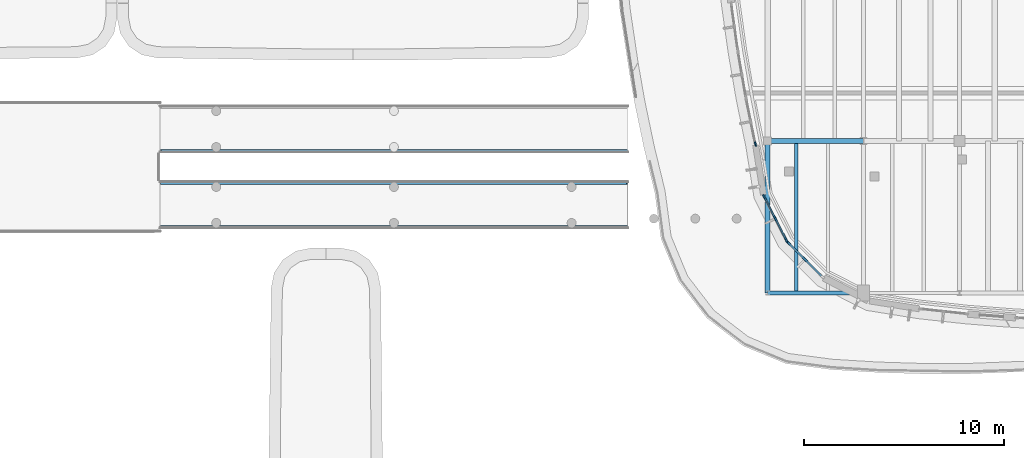
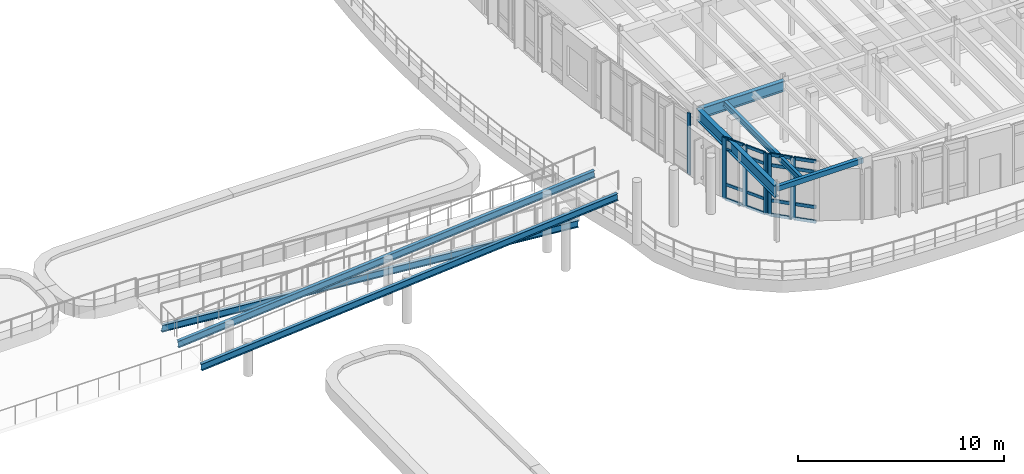
# One storey, part 33 of 111: 22 members, 7 beams, 3 elements without a shape of their own.
"""IFC4 building model written with IfcOpenShell, lengths in metres."""

from ifc_helpers import new_model, si_unit, direction, frame, origin, origin_2d, place, context, subcontext, project, spatial, rectangle, hollow_rectangle, i_section, extrude, material, material_profile, profile_set, type_object, element, aggregate, save


model = new_model("IFC4")

# Units and contexts
model_context = context("Model", 3, precision=1e-05, world=origin(), true_north=direction((0.0, 1.0)))
body_context = subcontext(model_context, "Body", "Model", "MODEL_VIEW")
ifc_project = project(units=[si_unit("LENGTHUNIT", "METRE"), si_unit("AREAUNIT", "SQUARE_METRE"), si_unit("VOLUMEUNIT", "CUBIC_METRE"), si_unit("PLANEANGLEUNIT", "RADIAN"), si_unit("MASSUNIT", "GRAM", prefix="KILO")], contexts=[model_context])

# Site, building, storey
site_placement = place(None, origin())
site = spatial("IfcSite", under=ifc_project, at=site_placement, CompositionType="ELEMENT")
building_placement = place(site_placement, origin())
building = spatial("IfcBuilding", under=site, at=building_placement, Name="Corveleigh Park Community Centre", CompositionType="ELEMENT")
storey_placement = place(building_placement, frame((0.0, 0.0, 4.800048828125)))
storey = spatial("IfcBuildingStorey", under=building, at=storey_placement, Name="L01", CompositionType="ELEMENT", Elevation=4.800048828125)

# Beams
ifc_material_1 = material(Name="Steel S355", Category="steel")
ifc_material_profile_1 = material_profile(ifc_material_1, i_section(OverallWidth=0.171142578125, OverallDepth=0.351318359375, WebThickness=0.007080078125, FlangeThickness=0.009765625, at=origin_2d()), Name="UKB 356x171x45", Category="steel")
ifc_profile_set_1 = profile_set([ifc_material_profile_1], Name="Steel S355")
beam_type_1 = type_object("IfcBeamType", Name="BM-STL-UKB356x45", PredefinedType="JOIST", material=ifc_profile_set_1)
beam_1_placement = place(storey_placement, frame((136.0400390625, 58.60498046875, 3.436279296875), z_axis=(0.0, 1.0, 0.0), x_axis=(-1.0, 0.0, 0.0)))
element("IfcBeam", 1, at=beam_1_placement, inside=storey, type_object=beam_type_1, Name="Secondary floor joist", PredefinedType="JOIST", context=body_context, shape_type="SweptSolid", body=[
    extrude(i_section(OverallWidth=0.171142578125, OverallDepth=0.351318359375, WebThickness=0.007080078125, FlangeThickness=0.009765625, at=origin_2d()), origin(), (0.0, 0.0, 1.0), 7.590087890625),
])
ifc_material_profile_2 = material_profile(ifc_material_1, i_section(OverallWidth=0.1787109375, OverallDepth=0.409423828125, WebThickness=0.0087890625, FlangeThickness=0.014404296875, at=origin_2d()), Name="UKB 406x178x67", Category="steel")
ifc_profile_set_2 = profile_set([ifc_material_profile_2], Name="Steel S355")
beam_type_2 = type_object("IfcBeamType", Name="BM-STL-UKB406x67", PredefinedType="BEAM", material=ifc_profile_set_2)
for number, where, z_axis, x_axis, name in (
    (2, (127.56005859375, 65.679931640625, -0.413330078125), (-0.996545686293, 0.0, 0.083046343271), (0.0, -1.0, 0.0), "Courtyard West Roof Promenade Ramp Lower Stringer L"),
    (3, (104.239990234375, 64.1201171875, 1.53662109375), (0.996545686293, 0.0, 0.083046343271), (0.0, 1.0, 0.0), "Courtyard East Roof Promenade Ramp Upper Stringer L"),
    (4, (104.239990234375, 61.8798828125, 1.53662109375), (0.996545686293, 0.0, 0.083046343271), (0.0, 1.0, 0.0), "Courtyard East Roof Promenade Ramp Upper Stringer R"),
):
    element("IfcBeam", number, at=place(storey_placement, frame(where, z_axis=z_axis, x_axis=x_axis)), inside=storey, type_object=beam_type_2, Name=name, PredefinedType="BEAM", context=body_context, shape_type="SweptSolid", body=[
        extrude(i_section(OverallWidth=0.1787109375, OverallDepth=0.409423828125, WebThickness=0.0087890625, FlangeThickness=0.014404296875, at=origin_2d()), origin(), (0.0, 0.0, 1.0), 23.40087890625),
    ])
ifc_material_profile_3 = material_profile(ifc_material_1, i_section(OverallWidth=0.22900390625, OverallDepth=0.6123046875, WebThickness=0.011962890625, FlangeThickness=0.01953125, at=origin_2d()), Name="UKB 610x229x125", Category="steel")
ifc_profile_set_3 = profile_set([ifc_material_profile_3], Name="Steel S355")
beam_type_3 = type_object("IfcBeamType", Name="BM-STL-UKB610x125", PredefinedType="BEAM", material=ifc_profile_set_3)
beam_2_placement = place(storey_placement, frame((134.60498046875, 66.199951171875, 3.305908203125), z_axis=(1.0, 0.0, 0.0), x_axis=(0.0, 1.0, 0.0)))
element("IfcBeam", 5, at=beam_2_placement, inside=storey, type_object=beam_type_3, Name="V4 Girder X", PredefinedType="BEAM", context=body_context, shape_type="SweptSolid", body=[
    extrude(i_section(OverallWidth=0.22900390625, OverallDepth=0.6123046875, WebThickness=0.011962890625, FlangeThickness=0.01953125, at=origin_2d()), origin(), (0.0, 0.0, 1.0), 4.7900390625),
])
ifc_material_profile_4 = material_profile(ifc_material_1, i_section(OverallWidth=0.25439453125, OverallDepth=0.6875, WebThickness=0.01318359375, FlangeThickness=0.02099609375, at=origin_2d()), Name="UKB 686x254x152", Category="steel")
ifc_profile_set_4 = profile_set([ifc_material_profile_4], Name="Steel S355")
beam_type_4 = type_object("IfcBeamType", Name="BM-STL-UKB686x152", PredefinedType="BEAM", material=ifc_profile_set_4)
beam_3_placement = place(storey_placement, frame((134.60009765625, 58.60498046875, 3.293212890625), z_axis=(0.0, 1.0, 0.0), x_axis=(-1.0, 0.0, 0.0)))
element("IfcBeam", 6, at=beam_3_placement, inside=storey, type_object=beam_type_4, Name="V4 Girder Y", PredefinedType="BEAM", context=body_context, shape_type="SweptSolid", body=[
    extrude(i_section(OverallWidth=0.25439453125, OverallDepth=0.6875, WebThickness=0.01318359375, FlangeThickness=0.02099609375, at=origin_2d()), origin(), (0.0, 0.0, 1.0), 7.590087890625),
])

# Curtain wall, member
ifc_material_2 = material(Name="Anodised aluminium 6063-T6", Category="aluminium")
curtain_wall_type = type_object("IfcCurtainWallType", Name="CW-SYS-V4-L01", PredefinedType="NOTDEFINED", material=ifc_material_2)
curtain_wall_1_placement = place(storey_placement, origin())
curtain_wall_1 = element("IfcCurtainWall", 7, at=curtain_wall_1_placement, inside=storey, type_object=curtain_wall_type, Name="V4 L01 Curtain Wall 298", PredefinedType="NOTDEFINED")
ifc_material_profile_5 = material_profile(ifc_material_2, rectangle(XDim=0.074951171875, YDim=0.219970703125, at=origin_2d()), Name="ALU-M75x220", Category="aluminium")
ifc_profile_set_5 = profile_set([ifc_material_profile_5], Name="Anodised aluminium 6063-T6")
member_type_1 = type_object("IfcMemberType", Name="CWM-75x220", PredefinedType="MULLION", material=ifc_profile_set_5)
member_1_placement = place(storey_placement, frame((133.990478515625, 66.046630859375, 0.0), z_axis=(0.0, 0.0, 1.0), x_axis=(-0.979799029422, -0.19998465427, 0.0)))
member_1 = element("IfcMember", 8, at=member_1_placement, type_object=member_type_1, Name="CW08 mullion 1", PredefinedType="MULLION", context=body_context, shape_type="SweptSolid", body=[
    extrude(rectangle(XDim=0.074951171875, YDim=0.219970703125, at=origin_2d()), origin(), (0.0, 0.0, 1.0), 3.636962890625),
])
aggregate(curtain_wall_1, [member_1])

# Curtain wall, members
curtain_wall_2_placement = place(storey_placement, origin())
curtain_wall_2 = element("IfcCurtainWall", 9, at=curtain_wall_2_placement, inside=storey, type_object=curtain_wall_type, Name="V4 L01 Curtain Wall 299", PredefinedType="NOTDEFINED")
ifc_material_profile_6 = material_profile(ifc_material_2, rectangle(XDim=0.080078125, YDim=0.25, at=origin_2d()), Name="ALU-M80x250", Category="aluminium")
ifc_profile_set_6 = profile_set([ifc_material_profile_6], Name="Anodised aluminium 6063-T6")
member_type_2 = type_object("IfcMemberType", Name="CWM-80x250", PredefinedType="MULLION", material=ifc_profile_set_6)
member_2_placement = place(storey_placement, frame((135.53076171875, 61.249755859375, 0.0), z_axis=(0.0, 0.0, 1.0), x_axis=(-0.89086471553, -0.454268707511, 0.0)))
member_2 = element("IfcMember", 10, at=member_2_placement, type_object=member_type_2, Name="CW08 mullion 1", PredefinedType="MULLION", context=body_context, shape_type="SweptSolid", body=[
    extrude(rectangle(XDim=0.080078125, YDim=0.25, at=origin_2d()), origin(), (0.0, 0.0, 1.0), 3.636962890625),
])
member_3_placement = place(storey_placement, frame((134.9833984375, 62.322998046875, 0.0), z_axis=(0.0, 0.0, 1.0), x_axis=(-0.89086471553, -0.454268707511, 0.0)))
member_3 = element("IfcMember", 11, at=member_3_placement, type_object=member_type_2, Name="CW08 mullion 2", PredefinedType="MULLION", context=body_context, shape_type="SweptSolid", body=[
    extrude(rectangle(XDim=0.080078125, YDim=0.25, at=origin_2d()), origin(), (0.0, 0.0, 1.0), 3.636962890625),
])
member_4_placement = place(storey_placement, frame((134.436279296875, 63.396484375, 0.0), z_axis=(0.0, 0.0, 1.0), x_axis=(-0.89086471553, -0.454268707511, 0.0)))
member_4 = element("IfcMember", 12, at=member_4_placement, type_object=member_type_2, Name="CW08 mullion 3", PredefinedType="MULLION", context=body_context, shape_type="SweptSolid", body=[
    extrude(rectangle(XDim=0.080078125, YDim=0.25, at=origin_2d()), origin(), (0.0, 0.0, 1.0), 3.636962890625),
])

curtain_wall_3_placement = place(storey_placement, origin())
curtain_wall_3 = element("IfcCurtainWall", 13, at=curtain_wall_3_placement, inside=storey, type_object=curtain_wall_type, Name="V4 L01 Curtain Wall 300", PredefinedType="NOTDEFINED")
ifc_material_profile_7 = material_profile(ifc_material_2, rectangle(XDim=0.0849609375, YDim=0.27490234375, at=origin_2d()), Name="ALU-M85x275", Category="aluminium")
ifc_profile_set_7 = profile_set([ifc_material_profile_7], Name="Anodised aluminium 6063-T6")
member_type_3 = type_object("IfcMemberType", Name="CWM-85x275", PredefinedType="MULLION", material=ifc_profile_set_7)
member_5_placement = place(storey_placement, frame((136.472900390625, 60.27294921875, 0.0), z_axis=(0.0, 0.0, 1.0), x_axis=(-0.707106781187, -0.707106781187, 0.0)))
member_5 = element("IfcMember", 14, at=member_5_placement, type_object=member_type_3, Name="CW08 mullion 2", PredefinedType="MULLION", context=body_context, shape_type="SweptSolid", body=[
    extrude(rectangle(XDim=0.0849609375, YDim=0.27490234375, at=origin_2d()), origin(), (0.0, 0.0, 1.0), 3.636962890625),
])
member_6_placement = place(storey_placement, frame((135.623046875, 61.123046875, 0.0), z_axis=(0.0, 0.0, 1.0), x_axis=(-0.707106781187, -0.707106781187, 0.0)))
member_6 = element("IfcMember", 15, at=member_6_placement, type_object=member_type_3, Name="CW08 mullion 3", PredefinedType="MULLION", context=body_context, shape_type="SweptSolid", body=[
    extrude(rectangle(XDim=0.0849609375, YDim=0.27490234375, at=origin_2d()), origin(), (0.0, 0.0, 1.0), 3.636962890625),
])

# Member
ifc_material_profile_8 = material_profile(ifc_material_2, rectangle(XDim=0.074951171875, YDim=0.175048828125, at=origin_2d()), Name="ALU-T75x175", Category="aluminium")
ifc_profile_set_8 = profile_set([ifc_material_profile_8], Name="Anodised aluminium 6063-T6")
member_type_4 = type_object("IfcMemberType", Name="CWT-75x175", PredefinedType="USERDEFINED", material=ifc_profile_set_8)
member_7_placement = place(storey_placement, frame((135.5126953125, 61.28515625, 0.037353515625), z_axis=(-0.454231355021, 0.890883761282, 0.0), x_axis=(-0.890883761282, -0.454231355021, 0.0)))
member_7 = element("IfcMember", 16, at=member_7_placement, type_object=member_type_4, Name="CW08 transom 1.1", ObjectType="TRANSOM", PredefinedType="USERDEFINED", context=body_context, shape_type="SweptSolid", body=[
    extrude(rectangle(XDim=0.074951171875, YDim=0.175048828125, at=origin_2d()), origin(), (0.0, 0.0, 1.0), 1.125),
])

member_8_placement = place(storey_placement, frame((135.5126953125, 61.28515625, 0.89990234375), z_axis=(-0.454231355021, 0.890883761282, 0.0), x_axis=(-0.890883761282, -0.454231355021, 0.0)))
member_8 = element("IfcMember", 17, at=member_8_placement, type_object=member_type_4, Name="CW08 transom 1.2", ObjectType="TRANSOM", PredefinedType="USERDEFINED", context=body_context, shape_type="SweptSolid", body=[
    extrude(rectangle(XDim=0.074951171875, YDim=0.175048828125, at=origin_2d()), origin(), (0.0, 0.0, 1.0), 1.125),
])

member_9_placement = place(storey_placement, frame((135.5126953125, 61.28515625, 2.987060546875), z_axis=(-0.454231355021, 0.890883761282, 0.0), x_axis=(-0.890883761282, -0.454231355021, 0.0)))
member_9 = element("IfcMember", 18, at=member_9_placement, type_object=member_type_4, Name="CW08 transom 1.3", ObjectType="TRANSOM", PredefinedType="USERDEFINED", context=body_context, shape_type="SweptSolid", body=[
    extrude(rectangle(XDim=0.074951171875, YDim=0.175048828125, at=origin_2d()), origin(), (0.0, 0.0, 1.0), 1.125),
])

member_10_placement = place(storey_placement, frame((135.5126953125, 61.28515625, 3.599365234375), z_axis=(-0.454231355021, 0.890883761282, 0.0), x_axis=(-0.890883761282, -0.454231355021, 0.0)))
member_10 = element("IfcMember", 19, at=member_10_placement, type_object=member_type_4, Name="CW08 transom 1.4", ObjectType="TRANSOM", PredefinedType="USERDEFINED", context=body_context, shape_type="SweptSolid", body=[
    extrude(rectangle(XDim=0.074951171875, YDim=0.175048828125, at=origin_2d()), origin(), (0.0, 0.0, 1.0), 1.125),
])

member_11_placement = place(storey_placement, frame((134.96533203125, 62.358642578125, 0.037353515625), z_axis=(-0.454231355021, 0.890883761282, 0.0), x_axis=(-0.890883761282, -0.454231355021, 0.0)))
member_11 = element("IfcMember", 20, at=member_11_placement, type_object=member_type_4, Name="CW08 transom 2.1", ObjectType="TRANSOM", PredefinedType="USERDEFINED", context=body_context, shape_type="SweptSolid", body=[
    extrude(rectangle(XDim=0.074951171875, YDim=0.175048828125, at=origin_2d()), origin(), (0.0, 0.0, 1.0), 1.125),
])

member_12_placement = place(storey_placement, frame((134.96533203125, 62.358642578125, 0.89990234375), z_axis=(-0.454231355021, 0.890883761282, 0.0), x_axis=(-0.890883761282, -0.454231355021, 0.0)))
member_12 = element("IfcMember", 21, at=member_12_placement, type_object=member_type_4, Name="CW08 transom 2.2", ObjectType="TRANSOM", PredefinedType="USERDEFINED", context=body_context, shape_type="SweptSolid", body=[
    extrude(rectangle(XDim=0.074951171875, YDim=0.175048828125, at=origin_2d()), origin(), (0.0, 0.0, 1.0), 1.125),
])

member_13_placement = place(storey_placement, frame((134.96533203125, 62.358642578125, 2.987060546875), z_axis=(-0.454231355021, 0.890883761282, 0.0), x_axis=(-0.890883761282, -0.454231355021, 0.0)))
member_13 = element("IfcMember", 22, at=member_13_placement, type_object=member_type_4, Name="CW08 transom 2.3", ObjectType="TRANSOM", PredefinedType="USERDEFINED", context=body_context, shape_type="SweptSolid", body=[
    extrude(rectangle(XDim=0.074951171875, YDim=0.175048828125, at=origin_2d()), origin(), (0.0, 0.0, 1.0), 1.125),
])

member_14_placement = place(storey_placement, frame((134.96533203125, 62.358642578125, 3.599365234375), z_axis=(-0.454231355021, 0.890883761282, 0.0), x_axis=(-0.890883761282, -0.454231355021, 0.0)))
member_14 = element("IfcMember", 23, at=member_14_placement, type_object=member_type_4, Name="CW08 transom 2.4", ObjectType="TRANSOM", PredefinedType="USERDEFINED", context=body_context, shape_type="SweptSolid", body=[
    extrude(rectangle(XDim=0.074951171875, YDim=0.175048828125, at=origin_2d()), origin(), (0.0, 0.0, 1.0), 1.125),
])

aggregate(curtain_wall_2, [member_2, member_3, member_4, member_7, member_8, member_9, member_10, member_11, member_12, member_13, member_14])

ifc_material_profile_9 = material_profile(ifc_material_2, rectangle(XDim=0.080078125, YDim=0.195068359375, at=origin_2d()), Name="ALU-T80x195", Category="aluminium")
ifc_profile_set_9 = profile_set([ifc_material_profile_9], Name="Anodised aluminium 6063-T6")
member_type_5 = type_object("IfcMemberType", Name="CWT-80x195", PredefinedType="USERDEFINED", material=ifc_profile_set_9)
member_15_placement = place(storey_placement, frame((137.29296875, 59.453125, 0.0400390625), z_axis=(-0.707106781187, 0.707106781187, 0.0), x_axis=(-0.707106781187, -0.707106781187, 0.0)))
member_15 = element("IfcMember", 24, at=member_15_placement, type_object=member_type_5, Name="CW08 transom 1.1", ObjectType="TRANSOM", PredefinedType="USERDEFINED", context=body_context, shape_type="SweptSolid", body=[
    extrude(rectangle(XDim=0.080078125, YDim=0.195068359375, at=origin_2d()), origin(), (0.0, 0.0, 1.0), 1.116943359375),
])

member_16_placement = place(storey_placement, frame((137.29296875, 59.453125, 0.89990234375), z_axis=(-0.707106781187, 0.707106781187, 0.0), x_axis=(-0.707106781187, -0.707106781187, 0.0)))
member_16 = element("IfcMember", 25, at=member_16_placement, type_object=member_type_5, Name="CW08 transom 1.2", ObjectType="TRANSOM", PredefinedType="USERDEFINED", context=body_context, shape_type="SweptSolid", body=[
    extrude(rectangle(XDim=0.080078125, YDim=0.195068359375, at=origin_2d()), origin(), (0.0, 0.0, 1.0), 1.116943359375),
])

member_17_placement = place(storey_placement, frame((137.29296875, 59.453125, 2.987060546875), z_axis=(-0.707106781187, 0.707106781187, 0.0), x_axis=(-0.707106781187, -0.707106781187, 0.0)))
member_17 = element("IfcMember", 26, at=member_17_placement, type_object=member_type_5, Name="CW08 transom 1.3", ObjectType="TRANSOM", PredefinedType="USERDEFINED", context=body_context, shape_type="SweptSolid", body=[
    extrude(rectangle(XDim=0.080078125, YDim=0.195068359375, at=origin_2d()), origin(), (0.0, 0.0, 1.0), 1.116943359375),
])

member_18_placement = place(storey_placement, frame((137.29296875, 59.453125, 3.596923828125), z_axis=(-0.707106781187, 0.707106781187, 0.0), x_axis=(-0.707106781187, -0.707106781187, 0.0)))
member_18 = element("IfcMember", 27, at=member_18_placement, type_object=member_type_5, Name="CW08 transom 1.4", ObjectType="TRANSOM", PredefinedType="USERDEFINED", context=body_context, shape_type="SweptSolid", body=[
    extrude(rectangle(XDim=0.080078125, YDim=0.195068359375, at=origin_2d()), origin(), (0.0, 0.0, 1.0), 1.116943359375),
])

member_19_placement = place(storey_placement, frame((136.44287109375, 60.302978515625, 0.0400390625), z_axis=(-0.706997499559, 0.707216045927, 0.0), x_axis=(-0.707216045927, -0.706997499559, 0.0)))
member_19 = element("IfcMember", 28, at=member_19_placement, type_object=member_type_5, Name="CW08 transom 2.1", ObjectType="TRANSOM", PredefinedType="USERDEFINED", context=body_context, shape_type="SweptSolid", body=[
    extrude(rectangle(XDim=0.080078125, YDim=0.195068359375, at=origin_2d()), origin(), (0.0, 0.0, 1.0), 1.1171875),
])

member_20_placement = place(storey_placement, frame((136.44287109375, 60.302978515625, 0.89990234375), z_axis=(-0.706997499559, 0.707216045927, 0.0), x_axis=(-0.707216045927, -0.706997499559, 0.0)))
member_20 = element("IfcMember", 29, at=member_20_placement, type_object=member_type_5, Name="CW08 transom 2.2", ObjectType="TRANSOM", PredefinedType="USERDEFINED", context=body_context, shape_type="SweptSolid", body=[
    extrude(rectangle(XDim=0.080078125, YDim=0.195068359375, at=origin_2d()), origin(), (0.0, 0.0, 1.0), 1.1171875),
])

member_21_placement = place(storey_placement, frame((136.44287109375, 60.302978515625, 2.987060546875), z_axis=(-0.706997499559, 0.707216045927, 0.0), x_axis=(-0.707216045927, -0.706997499559, 0.0)))
member_21 = element("IfcMember", 30, at=member_21_placement, type_object=member_type_5, Name="CW08 transom 2.3", ObjectType="TRANSOM", PredefinedType="USERDEFINED", context=body_context, shape_type="SweptSolid", body=[
    extrude(rectangle(XDim=0.080078125, YDim=0.195068359375, at=origin_2d()), origin(), (0.0, 0.0, 1.0), 1.1171875),
])

member_22_placement = place(storey_placement, frame((136.44287109375, 60.302978515625, 3.596923828125), z_axis=(-0.706997499559, 0.707216045927, 0.0), x_axis=(-0.707216045927, -0.706997499559, 0.0)))
member_22 = element("IfcMember", 31, at=member_22_placement, type_object=member_type_5, Name="CW08 transom 2.4", ObjectType="TRANSOM", PredefinedType="USERDEFINED", context=body_context, shape_type="SweptSolid", body=[
    extrude(rectangle(XDim=0.080078125, YDim=0.195068359375, at=origin_2d()), origin(), (0.0, 0.0, 1.0), 1.1171875),
])

aggregate(curtain_wall_3, [member_5, member_6, member_15, member_16, member_17, member_18, member_19, member_20, member_21, member_22])

# Beam
ifc_material_profile_10 = material_profile(ifc_material_1, hollow_rectangle(XDim=0.199951171875, YDim=0.300048828125, WallThickness=0.012451171875, at=origin_2d()), Name="RHS 300x200x12.5", Category="steel")
ifc_profile_set_10 = profile_set([ifc_material_profile_10], Name="Steel S355")
beam_type_5 = type_object("IfcBeamType", Name="SP-STL-RHS300x200", PredefinedType="SPANDREL", material=ifc_profile_set_10)
beam_4_placement = place(storey_placement, frame((134.60498046875, 58.60009765625, 3.487060546875), z_axis=(1.0, 0.0, 0.0), x_axis=(0.0, 1.0, 0.0)))
element("IfcBeam", 32, at=beam_4_placement, inside=storey, type_object=beam_type_5, Name="V4 Girder X", PredefinedType="SPANDREL", context=body_context, shape_type="SweptSolid", body=[
    extrude(hollow_rectangle(XDim=0.199951171875, YDim=0.300048828125, WallThickness=0.012451171875, at=origin_2d()), origin(), (0.0, 0.0, 1.0), 4.7900390625),
])

save(model, "model.ifc")
